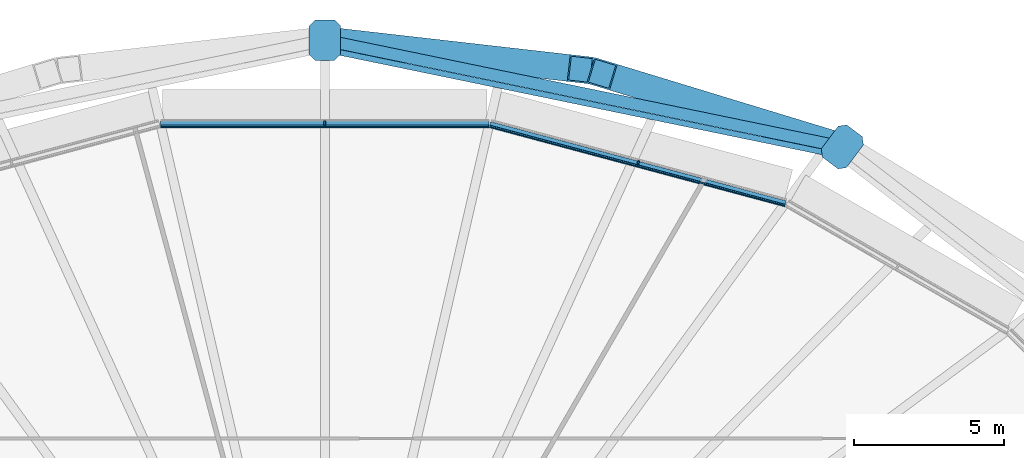
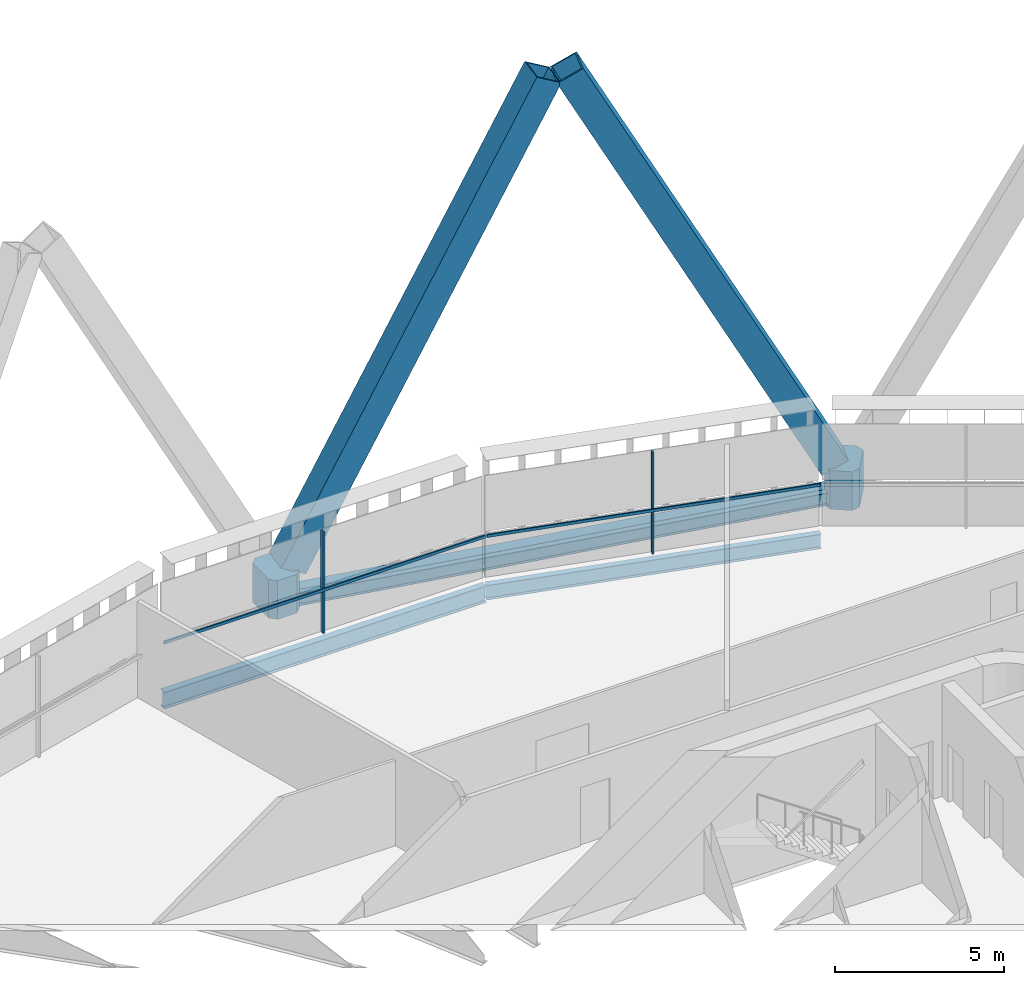
# One storey, part 11 of 25: 8 members, 4 beams, 2 elements without a shape of their own.
"""IFC4 building model written with IfcOpenShell, lengths in metres."""

from ifc_helpers import new_model, si_unit, direction, frame, origin, origin_2d, place, context, subcontext, project, spatial, polyline, rectangle, hollow_rectangle, i_section, outline, extrude, material, layer, layer_set, material_profile, profile_set, type_object, element, aggregate, save


model = new_model("IFC4")

# Units and contexts
model_context = context("Model", 3, precision=1e-05, world=origin(), true_north=direction((0.0, 1.0)))
body_context = subcontext(model_context, "Body", "Model", "MODEL_VIEW")
ifc_project = project(units=[si_unit("LENGTHUNIT", "METRE"), si_unit("AREAUNIT", "SQUARE_METRE"), si_unit("VOLUMEUNIT", "CUBIC_METRE"), si_unit("PLANEANGLEUNIT", "RADIAN"), si_unit("MASSUNIT", "GRAM", prefix="KILO")], contexts=[model_context])

# Site, building, storey
site_placement = place(None, origin())
site = spatial("IfcSite", under=ifc_project, at=site_placement, CompositionType="ELEMENT")
building_placement = place(site_placement, origin())
building = spatial("IfcBuilding", under=site, at=building_placement, Name="Sahrelin Media Tower", CompositionType="ELEMENT")
storey_placement = place(building_placement, frame((0.0, 0.0, 114.60009765625)))
storey = spatial("IfcBuildingStorey", under=building, at=storey_placement, Name="L22", CompositionType="ELEMENT", Elevation=114.60009765625)

# Members
ifc_material_1 = material(Name="Steel S460", Category="steel")
ifc_material_profile_1 = material_profile(ifc_material_1, hollow_rectangle(XDim=0.89990234375, YDim=0.89990234375, WallThickness=0.050048828125, at=origin_2d()), Name="Diagrid diagonal DG3")
ifc_profile_set_1 = profile_set([ifc_material_profile_1], Name="Steel S460")
member_type_1 = type_object("IfcMemberType", Name="Diagrid diagonal DG3", PredefinedType="BRACE", material=ifc_profile_set_1)
member_1_placement = place(storey_placement, frame((16.947998046875, 23.166015625, 0.699951171875), z_axis=(-0.442364026097, 0.134663087703, 0.886667875377), x_axis=(-0.291222097573, -0.956655470838, 0.0)))
element("IfcMember", 1, at=member_1_placement, inside=storey, type_object=member_type_1, Name="Diagrid diagonal D04-04", PredefinedType="BRACE", context=body_context, shape_type="SweptSolid", body=[
    extrude(hollow_rectangle(XDim=0.89990234375, YDim=0.89990234375, WallThickness=0.050048828125, at=origin_2d()), origin(), (0.0, 0.0, 1.0), 17.368408203125),
])
member_2_placement = place(storey_placement, frame((0.37158203125, 26.584716796875, 0.699951171875), z_axis=(0.468103705701, -0.053333757537, 0.882062600395), x_axis=(0.113203375276, 0.993571837275, 0.0)))
element("IfcMember", 2, at=member_2_placement, inside=storey, type_object=member_type_1, Name="Diagrid diagonal D04-05", PredefinedType="BRACE", context=body_context, shape_type="SweptSolid", body=[
    extrude(hollow_rectangle(XDim=0.89990234375, YDim=0.89990234375, WallThickness=0.050048828125, at=origin_2d()), origin(), (0.0, 0.0, 1.0), 17.458984375),
])
ifc_material_profile_2 = material_profile(ifc_material_1, outline(polyline([(0.47509765625, -0.52490234375), (0.675048828125, -0.324951171875), (0.675048828125, 0.324951171875), (0.47509765625, 0.52490234375), (-0.47509765625, 0.52490234375), (-0.675048828125, 0.324951171875), (-0.675048828125, -0.324951171875), (-0.47509765625, -0.52490234375), (0.47509765625, -0.52490234375)])), Name="Diagrid node block 1350")
ifc_profile_set_2 = profile_set([ifc_material_profile_2], Name="Steel S460")
member_type_2 = type_object("IfcMemberType", Name="Diagrid node block 1350", PredefinedType="USERDEFINED", material=ifc_profile_set_2)
for number, where, z_axis, x_axis, name in (
    (3, (17.297119140625, 23.059814453125, -0.7001953125), (0.0, 0.0, 1.0), (0.600050297167, 0.799962274654, 0.0), "Diagrid node N04-02"),
    (4, (0.0, 26.627197265625, -0.7001953125), (0.0, 0.0, 1.0), (0.0, 1.0, 0.0), "Diagrid node N04-03"),
):
    element("IfcMember", number, at=place(storey_placement, frame(where, z_axis=z_axis, x_axis=x_axis)), inside=storey, type_object=member_type_2, Name=name, ObjectType="NODE", PredefinedType="USERDEFINED", context=body_context, shape_type="SweptSolid", body=[
        extrude(outline(polyline([(0.47509765625, -0.52490234375), (0.675048828125, -0.324951171875), (0.675048828125, 0.324951171875), (0.47509765625, 0.52490234375), (-0.47509765625, 0.52490234375), (-0.675048828125, 0.324951171875), (-0.675048828125, -0.324951171875), (-0.47509765625, -0.52490234375), (0.47509765625, -0.52490234375)])), origin(), (0.0, 0.0, 1.0), 1.400146484375),
    ])

# Beams
ifc_material_profile_3 = material_profile(ifc_material_1, hollow_rectangle(XDim=0.39990234375, YDim=0.60009765625, WallThickness=0.030029296875, at=origin_2d()), Name="Diagrid ring beam RB1")
ifc_profile_set_3 = profile_set([ifc_material_profile_3], Name="Steel S460")
beam_type_1 = type_object("IfcBeamType", Name="Diagrid ring beam RB1", PredefinedType="BEAM", material=ifc_profile_set_3)
beam_1_placement = place(storey_placement, frame((17.297119140625, 23.059814453125, -0.4501953125), z_axis=(-0.979387523042, 0.201990296076, 0.0), x_axis=(-0.201990296076, -0.979387523042, 0.0)))
element("IfcBeam", 5, at=beam_1_placement, inside=storey, type_object=beam_type_1, Name="Diagrid ring beam RB04-02", PredefinedType="BEAM", context=body_context, shape_type="SweptSolid", body=[
    extrude(hollow_rectangle(XDim=0.39990234375, YDim=0.60009765625, WallThickness=0.030029296875, at=origin_2d()), origin(), (0.0, 0.0, 1.0), 17.6611328125),
])
ifc_material_2 = material(Name="Steel S355", Category="steel")
ifc_material_profile_4 = material_profile(ifc_material_2, i_section(OverallWidth=0.208740234375, OverallDepth=0.5283203125, WebThickness=0.009521484375, FlangeThickness=0.01318359375, FilletRadius=0.0126953125, at=origin_2d()), Name="UB 533x210x82")
ifc_profile_set_4 = profile_set([ifc_material_profile_4], Name="Steel S355")
beam_type_2 = type_object("IfcBeamType", Name="Edge beam EB6", PredefinedType="BEAM", material=ifc_profile_set_4)
beam_2_placement = place(storey_placement, frame((5.5205078125, 23.801513671875, -0.414306640625), z_axis=(0.96592556592, -0.258820016811, 0.0), x_axis=(0.258820016811, 0.96592556592, 0.0)))
element("IfcBeam", 6, at=beam_2_placement, inside=storey, type_object=beam_type_2, Name="Edge beam L22-20", PredefinedType="BEAM", context=body_context, shape_type="SweptSolid", body=[
    extrude(i_section(OverallWidth=0.208740234375, OverallDepth=0.5283203125, WebThickness=0.009521484375, FlangeThickness=0.01318359375, FilletRadius=0.0126953125, at=origin_2d()), origin(), (0.0, 0.0, 1.0), 10.22607421875),
])
ifc_material_profile_5 = material_profile(ifc_material_2, i_section(OverallWidth=0.2275390625, OverallDepth=0.6025390625, WebThickness=0.010498046875, FlangeThickness=0.014892578125, FilletRadius=0.0126953125, at=origin_2d()), Name="UB 610x229x101")
ifc_profile_set_5 = profile_set([ifc_material_profile_5], Name="Steel S355")
beam_type_3 = type_object("IfcBeamType", Name="Edge beam EB7", PredefinedType="BEAM", material=ifc_profile_set_5)
beam_3_placement = place(storey_placement, frame((-5.49169921875, 23.80517578125, -0.451416015625), z_axis=(1.0, 0.0, 0.0), x_axis=(0.0, 1.0, 0.0)))
element("IfcBeam", 7, at=beam_3_placement, inside=storey, type_object=beam_type_3, Name="Edge beam L22-19", PredefinedType="BEAM", context=body_context, shape_type="SweptSolid", body=[
    extrude(i_section(OverallWidth=0.2275390625, OverallDepth=0.6025390625, WebThickness=0.010498046875, FlangeThickness=0.014892578125, FilletRadius=0.0126953125, at=origin_2d()), origin(), (0.0, 0.0, 1.0), 10.9833984375),
])

# Curtain wall, member
ifc_material_3 = material(Name="Champagne anodised aluminium 6063-T6", Category="aluminium")
ifc_layer = layer(ifc_material_3, 0.14990234375)
ifc_layer_set = layer_set([ifc_layer], Name="Tower ribbon curtain wall")
curtain_wall_type = type_object("IfcCurtainWallType", Name="Tower ribbon curtain wall", PredefinedType="NOTDEFINED", material=ifc_layer_set)
curtain_wall_1_placement = place(storey_placement, frame((10.498046875, 22.623046875, 0.0), z_axis=(0.0, 0.0, 1.0), x_axis=(1.0, 0.0, 0.0)))
curtain_wall_1 = element("IfcCurtainWall", 8, at=curtain_wall_1_placement, inside=storey, type_object=curtain_wall_type, Name="L22:CW:L22-05", PredefinedType="NOTDEFINED")
ifc_material_profile_6 = material_profile(ifc_material_3, rectangle(XDim=0.06005859375, YDim=0.14990234375, at=origin_2d()), Name="Mullion 60x150")
ifc_profile_set_6 = profile_set([ifc_material_profile_6], Name="Champagne anodised aluminium 6063-T6")
member_type_3 = type_object("IfcMemberType", Name="Mullion 60x150 CW1", PredefinedType="MULLION", material=ifc_profile_set_6)
member_3_placement = place(storey_placement, frame((10.473388671875, 22.53125, 0.0), z_axis=(0.0, 0.0, 1.0), x_axis=(-0.965925374563, 0.258820730961, 0.0)))
member_3 = element("IfcMember", 9, at=member_3_placement, type_object=member_type_3, Name="L22:CWM:L22-05", PredefinedType="MULLION", context=body_context, shape_type="SweptSolid", body=[
    extrude(rectangle(XDim=0.06005859375, YDim=0.14990234375, at=origin_2d()), origin(), (0.0, 0.0, 1.0), 3.6484375),
])

curtain_wall_2_placement = place(storey_placement, frame((0.0, 23.955078125, 0.0), z_axis=(0.0, 0.0, 1.0), x_axis=(1.0, 0.0, 0.0)))
curtain_wall_2 = element("IfcCurtainWall", 10, at=curtain_wall_2_placement, inside=storey, type_object=curtain_wall_type, Name="L22:CW:L22-06", PredefinedType="NOTDEFINED")
member_4_placement = place(storey_placement, frame((0.0, 23.860107421875, 0.0), z_axis=(0.0, 0.0, 1.0), x_axis=(-1.0, 0.0, 0.0)))
member_4 = element("IfcMember", 11, at=member_4_placement, type_object=member_type_3, Name="L22:CWM:L22-06", PredefinedType="MULLION", context=body_context, shape_type="SweptSolid", body=[
    extrude(rectangle(XDim=0.06005859375, YDim=0.14990234375, at=origin_2d()), origin(), (0.0, 0.0, 1.0), 3.6484375),
])

# Beam
ifc_material_profile_7 = material_profile(ifc_material_2, i_section(OverallWidth=0.1904296875, OverallDepth=0.45703125, WebThickness=0.009033203125, FlangeThickness=0.014404296875, FilletRadius=0.01025390625, at=origin_2d()), Name="UB 457x191x74")
ifc_profile_set_7 = profile_set([ifc_material_profile_7], Name="Steel S355")
beam_type_4 = type_object("IfcBeamType", Name="Tie chord TC5", PredefinedType="BEAM", material=ifc_profile_set_7)
beam_4_placement = place(storey_placement, frame((0.0, 26.320556640625, -0.378662109375), z_axis=(0.979388947425, -0.201983389567, 0.0), x_axis=(0.201983389567, 0.979388947425, 0.0)))
element("IfcBeam", 12, at=beam_4_placement, inside=storey, type_object=beam_type_4, Name="Tie chord L22-10", PredefinedType="BEAM", context=body_context, shape_type="SweptSolid", body=[
    extrude(i_section(OverallWidth=0.1904296875, OverallDepth=0.45703125, WebThickness=0.009033203125, FlangeThickness=0.014404296875, FilletRadius=0.01025390625, at=origin_2d()), origin(), (0.0, 0.0, 1.0), 17.530029296875),
])

# Member
ifc_material_profile_8 = material_profile(ifc_material_3, rectangle(XDim=0.050048828125, YDim=0.10009765625, at=origin_2d()), Name="Transom 50x100")
ifc_profile_set_8 = profile_set([ifc_material_profile_8], Name="Champagne anodised aluminium 6063-T6")
member_type_4 = type_object("IfcMemberType", Name="Transom 50x100 CW1", PredefinedType="USERDEFINED", material=ifc_profile_set_8)
member_5_placement = place(storey_placement, frame((15.371337890625, 21.115234375, 1.599853515625), z_axis=(-0.965924213862, 0.258825062686, 0.0), x_axis=(-0.258825062686, -0.965924213862, 0.0)))
member_5 = element("IfcMember", 13, at=member_5_placement, type_object=member_type_4, Name="L22:CWT:L22-05", ObjectType="TRANSOM", PredefinedType="USERDEFINED", context=body_context, shape_type="SweptSolid", body=[
    extrude(rectangle(XDim=0.050048828125, YDim=0.10009765625, at=origin_2d()), origin(), (0.0, 0.0, 1.0), 10.19482421875),
])

aggregate(curtain_wall_1, [member_3, member_5])

member_6_placement = place(storey_placement, frame((5.47607421875, 23.76025390625, 1.599853515625), z_axis=(-1.0, 0.0, 0.0), x_axis=(0.0, -1.0, 0.0)))
member_6 = element("IfcMember", 14, at=member_6_placement, type_object=member_type_4, Name="L22:CWT:L22-06", ObjectType="TRANSOM", PredefinedType="USERDEFINED", context=body_context, shape_type="SweptSolid", body=[
    extrude(rectangle(XDim=0.050048828125, YDim=0.10009765625, at=origin_2d()), origin(), (0.0, 0.0, 1.0), 10.9521484375),
])

aggregate(curtain_wall_2, [member_4, member_6])

save(model, "model.ifc")
